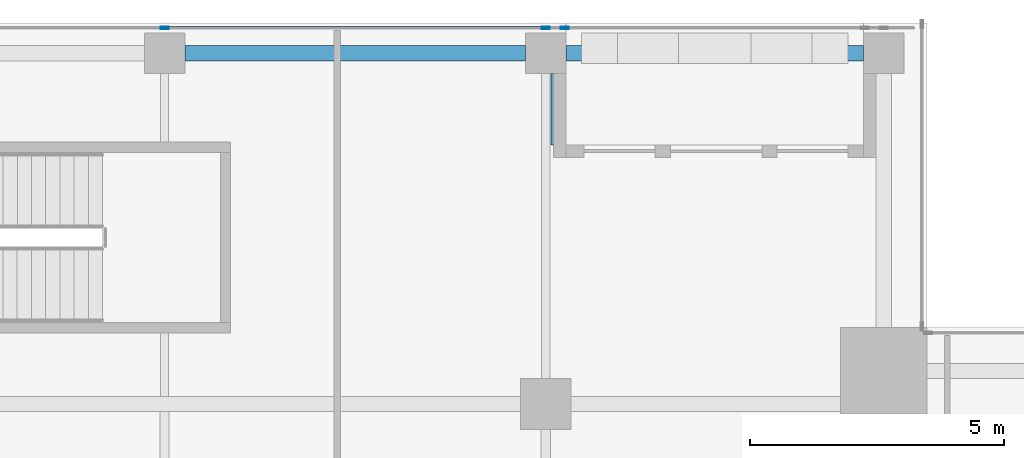
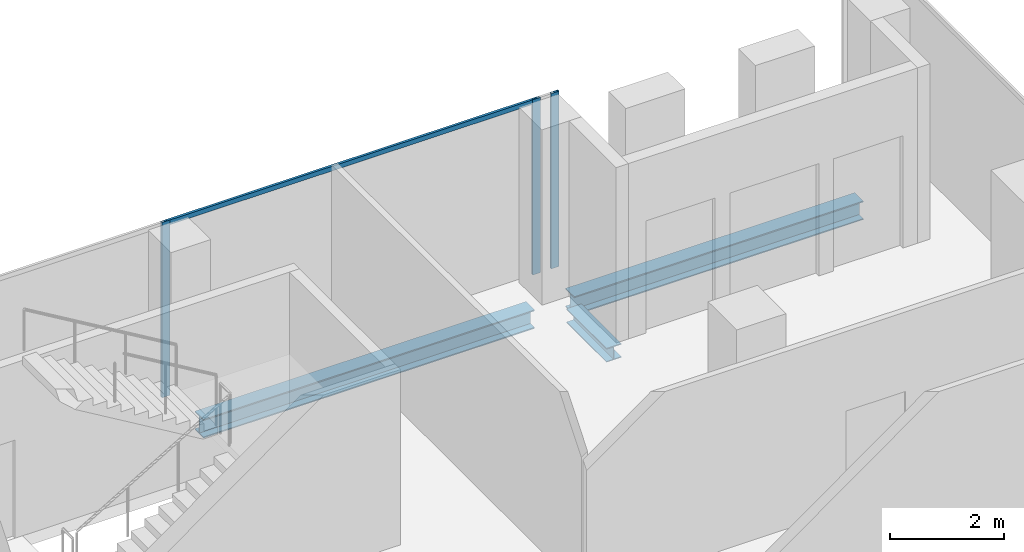
# One storey, part 17 of 29: 4 members, 3 beams, 1 element without a shape of its own.
"""IFC4 building model written with IfcOpenShell, lengths in metres."""

from ifc_helpers import new_model, si_unit, direction, frame, origin, origin_2d, place, context, subcontext, project, spatial, hollow_rectangle, i_section, extrude, source, transform, mapped, material, material_profile, profile_set, type_object, element, aggregate, save


model = new_model("IFC4")

# Units and contexts
model_context = context("Model", 3, precision=1e-05, world=origin(), true_north=direction((0.0, 1.0)))
body_context = subcontext(model_context, "Body", "Model", "MODEL_VIEW")
ifc_project = project(units=[si_unit("LENGTHUNIT", "METRE"), si_unit("AREAUNIT", "SQUARE_METRE"), si_unit("VOLUMEUNIT", "CUBIC_METRE"), si_unit("PLANEANGLEUNIT", "RADIAN"), si_unit("MASSUNIT", "GRAM", prefix="KILO")], contexts=[model_context])

# Site, building, storey
site_placement = place(None, origin())
site = spatial("IfcSite", under=ifc_project, at=site_placement, CompositionType="ELEMENT")
building_placement = place(site_placement, origin())
building = spatial("IfcBuilding", under=site, at=building_placement, Name="Khomas Fold Tower", CompositionType="ELEMENT")
storey_placement = place(building_placement, frame((0.0, 0.0, 326.199951171875)))
storey = spatial("IfcBuildingStorey", under=building, at=storey_placement, Name="L74", CompositionType="ELEMENT", Elevation=326.199951171875)

# Beams
ifc_material_1 = material(Name="Steel S355", Category="steel")
ifc_material_profile_1 = material_profile(ifc_material_1, i_section(OverallWidth=0.300048828125, OverallDepth=0.39990234375, WebThickness=0.013427734375, FlangeThickness=0.02392578125, at=origin_2d()), Name="HE 400 B")
ifc_profile_set_1 = profile_set([ifc_material_profile_1], Name="Steel S355")
beam_type_1 = type_object("IfcBeamType", Name="HE 400 B spandrel SB5", PredefinedType="SPANDREL", material=ifc_profile_set_1)
shared_shape_1 = source(origin(), body_context, "Body", "SweptSolid", [
    extrude(i_section(OverallWidth=0.300048828125, OverallDepth=0.39990234375, WebThickness=0.013427734375, FlangeThickness=0.02392578125, at=origin_2d()), origin(), (0.0, 0.0, 1.0), 5.85009765625),
])
beam_1_placement = place(storey_placement, frame((34.89990234375, 47.39990234375, -0.449951171875), z_axis=(1.0, 0.0, 0.0), x_axis=(0.0, 1.0, 0.0)))
element("IfcBeam", 1, at=beam_1_placement, inside=storey, type_object=beam_type_1, Name="SB5", PredefinedType="SPANDREL", context=body_context, shape_type="MappedRepresentation", body=[
    mapped(shared_shape_1, transform((0.0, 0.0, 0.0))),
])
shared_shape_2 = source(origin(), body_context, "Body", "SweptSolid", [
    extrude(i_section(OverallWidth=0.300048828125, OverallDepth=0.39990234375, WebThickness=0.013427734375, FlangeThickness=0.02392578125, at=origin_2d()), origin(), (0.0, 0.0, 1.0), 6.7001953125),
])
beam_2_placement = place(storey_placement, frame((27.39990234375, 47.39990234375, -0.449951171875), z_axis=(1.0, 0.0, 0.0), x_axis=(0.0, 1.0, 0.0)))
element("IfcBeam", 2, at=beam_2_placement, inside=storey, type_object=beam_type_1, Name="SB5", PredefinedType="SPANDREL", context=body_context, shape_type="MappedRepresentation", body=[
    mapped(shared_shape_2, transform((0.0, 0.0, 0.0))),
])
ifc_material_2 = material(Name="Steel S355", Category="steel")
ifc_material_profile_2 = material_profile(ifc_material_2, i_section(OverallWidth=0.300048828125, OverallDepth=0.300048828125, WebThickness=0.010986328125, FlangeThickness=0.01904296875, at=origin_2d()), Name="HE 300 B")
ifc_profile_set_2 = profile_set([ifc_material_profile_2], Name="Steel S355")
beam_type_2 = type_object("IfcBeamType", Name="HE 300 B beam BB1", PredefinedType="BEAM", material=ifc_profile_set_2)
shared_shape_3 = source(origin(), body_context, "Body", "SweptSolid", [
    extrude(i_section(OverallWidth=0.300048828125, OverallDepth=0.300048828125, WebThickness=0.010986328125, FlangeThickness=0.01904296875, at=origin_2d()), origin(), (0.0, 0.0, 1.0), 1.39990234375),
])
beam_3_placement = place(storey_placement, frame((34.75, 45.60009765625, -0.39990234375), z_axis=(0.0, 1.0, 0.0), x_axis=(-1.0, 0.0, 0.0)))
element("IfcBeam", 3, at=beam_3_placement, inside=storey, type_object=beam_type_2, Name="BB1", PredefinedType="BEAM", context=body_context, shape_type="MappedRepresentation", body=[
    mapped(shared_shape_3, transform((0.0, 0.0, 0.0))),
])

# Curtain wall, members
ifc_material_3 = material(Name="Aluminium framed double glazing", Category="aluminium")
curtain_wall_type = type_object("IfcCurtainWallType", Name="SK-Unitised clear-glass wall, upper floors CW3", PredefinedType="NOTDEFINED", material=ifc_material_3)
curtain_wall_placement = place(storey_placement, origin())
curtain_wall = element("IfcCurtainWall", 4, at=curtain_wall_placement, inside=storey, type_object=curtain_wall_type, Name="CW3 run L74 06-1", PredefinedType="NOTDEFINED")
ifc_material_4 = material(Name="Aluminium", Category="aluminium")
ifc_material_profile_3 = material_profile(ifc_material_4, hollow_rectangle(XDim=0.050048828125, YDim=0.159912109375, WallThickness=0.00390625, at=origin_2d()), Name="SK-Unitised clear-glass wall, upper floors mullion CW3-M")
ifc_profile_set_3 = profile_set([ifc_material_profile_3], Name="Aluminium")
member_type_1 = type_object("IfcMemberType", Name="SK-Unitised clear-glass wall, upper floors mullion CW3-M", PredefinedType="MULLION", material=ifc_profile_set_3)
shared_shape_4 = source(origin(), body_context, "Body", "SweptSolid", [
    extrude(hollow_rectangle(XDim=0.050048828125, YDim=0.159912109375, WallThickness=0.00390625, at=origin_2d()), origin(), (0.0, 0.0, 1.0), 3.75),
])
member_1_placement = place(storey_placement, frame((34.875, 47.89990234375, 0.0), z_axis=(0.0, 0.0, 1.0), x_axis=(0.0, -1.0, 0.0)))
member_1 = element("IfcMember", 5, at=member_1_placement, type_object=member_type_1, Name="CW3 mullion 1", PredefinedType="MULLION", context=body_context, shape_type="MappedRepresentation", body=[
    mapped(shared_shape_4, transform((0.0, 0.0, 0.0))),
])
member_2_placement = place(storey_placement, frame((34.5, 47.89990234375, 0.0), z_axis=(0.0, 0.0, 1.0), x_axis=(0.0, -1.0, 0.0)))
member_2 = element("IfcMember", 6, at=member_2_placement, type_object=member_type_1, Name="CW3 mullion 2", PredefinedType="MULLION", context=body_context, shape_type="MappedRepresentation", body=[
    mapped(shared_shape_4, transform((0.0, 0.0, 0.0))),
])
member_3_placement = place(storey_placement, frame((27.0, 47.89990234375, 0.0), z_axis=(0.0, 0.0, 1.0), x_axis=(0.0, -1.0, 0.0)))
member_3 = element("IfcMember", 7, at=member_3_placement, type_object=member_type_1, Name="CW3 mullion 3", PredefinedType="MULLION", context=body_context, shape_type="MappedRepresentation", body=[
    mapped(shared_shape_4, transform((0.0, 0.0, 0.0))),
])
ifc_material_5 = material(Name="Aluminium", Category="aluminium")
ifc_material_profile_4 = material_profile(ifc_material_5, hollow_rectangle(XDim=0.050048828125, YDim=0.10009765625, WallThickness=0.00390625, at=origin_2d()), Name="SK-Unitised clear-glass wall, upper floors transom CW3-T")
ifc_profile_set_4 = profile_set([ifc_material_profile_4], Name="Aluminium")
member_type_2 = type_object("IfcMemberType", Name="SK-Unitised clear-glass wall, upper floors transom CW3-T", PredefinedType="USERDEFINED", material=ifc_profile_set_4)
shared_shape_5 = source(origin(), body_context, "Body", "SweptSolid", [
    extrude(hollow_rectangle(XDim=0.050048828125, YDim=0.10009765625, WallThickness=0.00390625, at=origin_2d()), origin(), (0.0, 0.0, 1.0), 7.4501953125),
])
member_4_placement = place(storey_placement, frame((34.47509765625, 47.89990234375, 3.699951171875), z_axis=(-1.0, 0.0, 0.0), x_axis=(0.0, -1.0, 0.0)))
member_4 = element("IfcMember", 8, at=member_4_placement, type_object=member_type_2, Name="CW3 transom 2", ObjectType="TRANSOM", PredefinedType="USERDEFINED", context=body_context, shape_type="MappedRepresentation", body=[
    mapped(shared_shape_5, transform((0.0, 0.0, 0.0))),
])
aggregate(curtain_wall, [member_1, member_2, member_3, member_4])

save(model, "model.ifc")
